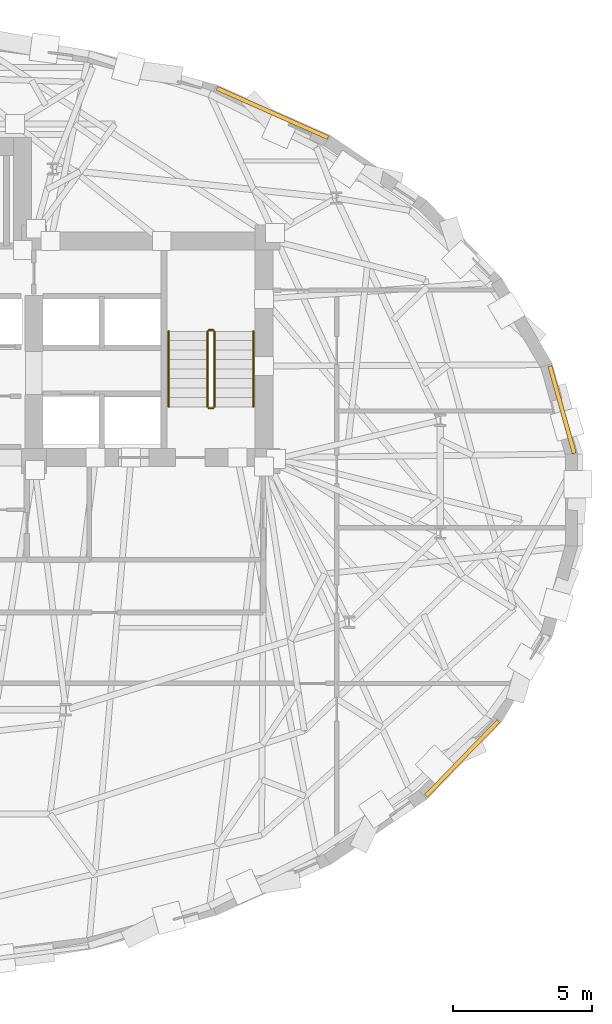
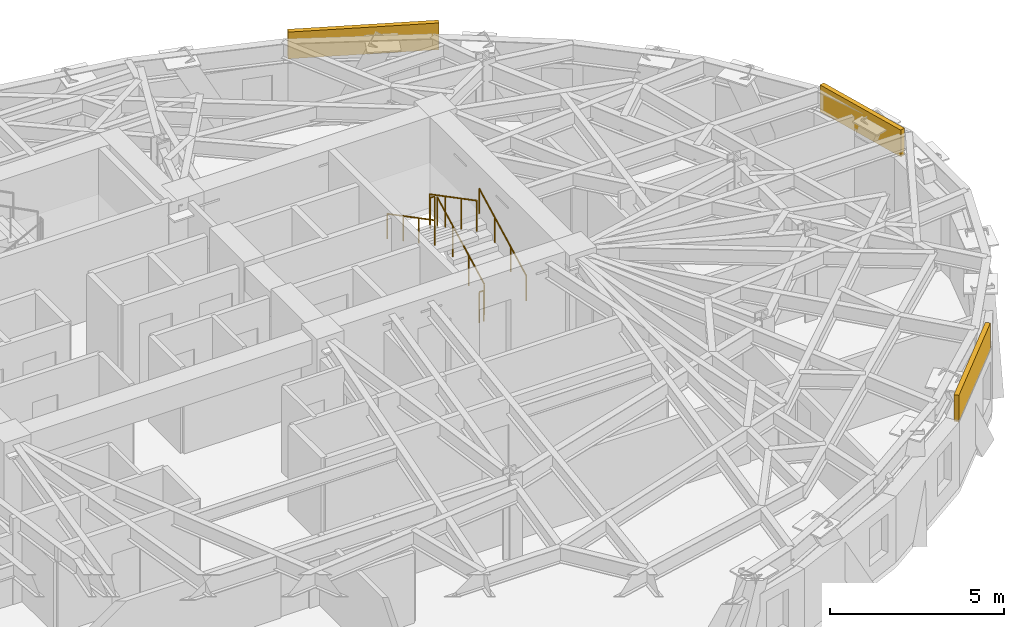
# One storey, part 13 of 14: 6 railings, 3 coverings.
"""IFC4 building model written with IfcOpenShell, lengths in metres."""

from ifc_helpers import new_model, si_unit, direction, frame, origin, origin_2d, place, context, subcontext, project, spatial, rectangle, circle, extrude, material, layer, layer_set, type_object, element, save


model = new_model("IFC4")

# Units and contexts
model_context = context("Model", 3, precision=1e-05, world=origin(), true_north=direction((0.0, 1.0)))
body_context = subcontext(model_context, "Body", "Model", "MODEL_VIEW")
ifc_project = project(units=[si_unit("LENGTHUNIT", "METRE"), si_unit("AREAUNIT", "SQUARE_METRE"), si_unit("VOLUMEUNIT", "CUBIC_METRE"), si_unit("PLANEANGLEUNIT", "RADIAN"), si_unit("MASSUNIT", "GRAM", prefix="KILO")], contexts=[model_context])

# Site, building, storey
site_placement = place(None, origin())
site = spatial("IfcSite", under=ifc_project, at=site_placement, CompositionType="ELEMENT")
building_placement = place(site_placement, origin())
building = spatial("IfcBuilding", under=site, at=building_placement, Name="Keldmark Tower", CompositionType="ELEMENT")
storey_placement = place(building_placement, frame((0.0, 0.0, 169.39990234375)))
storey = spatial("IfcBuildingStorey", under=building, at=storey_placement, Name="L46", CompositionType="ELEMENT", Elevation=169.39990234375)

# Coverings
ifc_material_1 = material(Name="Honed Kasota Buff Dolomitic Limestone", Category="masonry")
ifc_layer = layer(ifc_material_1, 0.074951171875)
ifc_layer_set = layer_set([ifc_layer], Name="Honed Kasota Buff Dolomitic Limestone")
covering_type = type_object("IfcCoveringType", Name="Kasota Buff Limestone Spandrel Cladding Band", PredefinedType="CLADDING", material=ifc_layer_set)
covering_1_placement = place(storey_placement, frame((24.205322265625, 3.25, 2.2392578125), z_axis=(0.0, 0.0, 1.0), x_axis=(-0.26920558486, 0.963082734286, 0.0)))
element("IfcCovering", 1, at=covering_1_placement, inside=storey, type_object=covering_type, Name="L46 Kasota Limestone Spandrel Band 01", PredefinedType="CLADDING", context=body_context, shape_type="SweptSolid", body=[
    extrude(rectangle(XDim=3.2568359375, YDim=0.14990234375, at=origin_2d()), origin(), (0.0, 0.0, 1.0), 0.94091796875),
])
covering_2_placement = place(storey_placement, frame((13.78466796875, 13.9267578125, 2.2392578125), z_axis=(0.0, 0.0, 1.0), x_axis=(-0.913921308103, 0.405891417247, 0.0)))
element("IfcCovering", 2, at=covering_2_placement, inside=storey, type_object=covering_type, Name="L46 Kasota Limestone Spandrel Band 05", PredefinedType="CLADDING", context=body_context, shape_type="SweptSolid", body=[
    extrude(rectangle(XDim=4.367431640625, YDim=0.14990234375, at=origin_2d()), origin(), (0.0, 0.0, 1.0), 0.94091796875),
])
covering_3_placement = place(storey_placement, frame((20.6142578125, -9.298095703125, 2.2392578125), z_axis=(0.0, 0.0, 1.0), x_axis=(0.694959625859, 0.719048759422, 0.0)))
element("IfcCovering", 3, at=covering_3_placement, inside=storey, type_object=covering_type, Name="L46 Kasota Limestone Spandrel Band 29", PredefinedType="CLADDING", context=body_context, shape_type="SweptSolid", body=[
    extrude(rectangle(XDim=3.74609375, YDim=0.14990234375, at=origin_2d()), origin(), (0.0, 0.0, 1.0), 0.94091796875),
])

# Railings
ifc_material_2 = material(Name="Painted Steel ASTM A500 Grade B", Category="steel")
railing_type_1 = type_object("IfcRailingType", Name="Painted Steel Stair Well Guard 1100 mm", PredefinedType="GUARDRAIL", material=ifc_material_2)
railing_1_placement = place(storey_placement, frame((11.699951171875, 3.35009765625, 0.177978515625)))
element("IfcRailing", 4, at=railing_1_placement, inside=storey, type_object=railing_type_1, Name="L46 ST2 stair guard 1", PredefinedType="GUARDRAIL", context=body_context, shape_type="SweptSolid", body=[
    extrude(circle(Radius=0.02392578125, at=origin_2d()), frame((0.0, 0.0, 1.076171875), z_axis=(0.0, 0.886183135912, 0.463335137482), x_axis=(-1.0, 0.0, 0.0)), (0.0, 0.0, 1.0), 3.0693359375),
    extrude(circle(Radius=0.02099609375, at=origin_2d()), origin(), (0.0, 0.0, 1.0), 1.052001953125),
    extrude(circle(Radius=0.02099609375, at=origin_2d()), frame((0.0, 0.90673828125, 0.47412109375)), (0.0, 0.0, 1.0), 1.052001953125),
    extrude(circle(Radius=0.02099609375, at=origin_2d()), frame((0.0, 1.813232421875, 0.947998046875)), (0.0, 0.0, 1.0), 1.052001953125),
    extrude(circle(Radius=0.02099609375, at=origin_2d()), frame((0.0, 2.719970703125, 1.422119140625)), (0.0, 0.0, 1.0), 1.052001953125),
])
railing_2_placement = place(storey_placement, frame((11.64990234375, 6.1201171875, 1.60009765625)))
element("IfcRailing", 5, at=railing_2_placement, inside=storey, type_object=railing_type_1, Name="L46 ST2 stair guard 2", PredefinedType="GUARDRAIL", context=body_context, shape_type="SweptSolid", body=[
    extrude(circle(Radius=0.02392578125, at=origin_2d()), frame((0.0, 0.0, 1.076171875), z_axis=(-1.0, 0.0, 0.0), x_axis=(0.0, -1.0, 0.0)), (0.0, 0.0, 1.0), 0.14990234375),
    extrude(circle(Radius=0.02099609375, at=origin_2d()), origin(), (0.0, 0.0, 1.0), 1.052001953125),
    extrude(circle(Radius=0.02099609375, at=origin_2d()), frame((-0.14990234375, 0.0, 0.0)), (0.0, 0.0, 1.0), 1.052001953125),
])
railing_3_placement = place(storey_placement, frame((11.449951171875, 6.070068359375, 1.77783203125)))
element("IfcRailing", 6, at=railing_3_placement, inside=storey, type_object=railing_type_1, Name="L46 ST2 stair guard 3", PredefinedType="GUARDRAIL", context=body_context, shape_type="SweptSolid", body=[
    extrude(circle(Radius=0.02392578125, at=origin_2d()), frame((0.0, 0.0, 1.076171875), z_axis=(0.0, -0.886150474775, 0.463397600399), x_axis=(1.0, 0.0, 0.0)), (0.0, 0.0, 1.0), 3.0693359375),
    extrude(circle(Radius=0.02099609375, at=origin_2d()), origin(), (0.0, 0.0, 1.0), 1.052001953125),
    extrude(circle(Radius=0.02099609375, at=origin_2d()), frame((0.0, -0.90673828125, 0.47412109375)), (0.0, 0.0, 1.0), 1.052001953125),
    extrude(circle(Radius=0.02099609375, at=origin_2d()), frame((0.0, -1.813232421875, 0.9482421875)), (0.0, 0.0, 1.0), 1.052001953125),
    extrude(circle(Radius=0.02099609375, at=origin_2d()), frame((0.0, -2.719970703125, 1.42236328125)), (0.0, 0.0, 1.0), 1.052001953125),
])
railing_4_placement = place(storey_placement, frame((11.64990234375, 3.300048828125, 0.0)))
element("IfcRailing", 7, at=railing_4_placement, inside=storey, type_object=railing_type_1, Name="L46 ST2 stair guard 4", PredefinedType="GUARDRAIL", context=body_context, shape_type="SweptSolid", body=[
    extrude(circle(Radius=0.02392578125, at=origin_2d()), frame((0.0, 0.0, 1.076171875), z_axis=(-1.0, 0.0, 0.0), x_axis=(0.0, -1.0, 0.0)), (0.0, 0.0, 1.0), 0.14990234375),
    extrude(circle(Radius=0.02099609375, at=origin_2d()), origin(), (0.0, 0.0, 1.0), 1.052001953125),
    extrude(circle(Radius=0.02099609375, at=origin_2d()), frame((-0.14990234375, 0.0, 0.0)), (0.0, 0.0, 1.0), 1.052001953125),
])
ifc_material_3 = material(Name="Stainless Steel AISI 316L", Category="steel")
railing_type_2 = type_object("IfcRailingType", Name="Stainless Steel Stair Handrail 900 mm", PredefinedType="HANDRAIL", material=ifc_material_3)
railing_5_placement = place(storey_placement, frame((13.10009765625, 3.35009765625, 0.177978515625)))
element("IfcRailing", 8, at=railing_5_placement, inside=storey, type_object=railing_type_2, Name="L46 ST2 stair handrail 1", PredefinedType="HANDRAIL", context=body_context, shape_type="SweptSolid", body=[
    extrude(circle(Radius=0.02392578125, at=origin_2d()), frame((0.0, 0.0, 0.8759765625), z_axis=(0.0, 0.886183135912, 0.463335137482), x_axis=(-1.0, 0.0, 0.0)), (0.0, 0.0, 1.0), 3.0693359375),
    extrude(circle(Radius=0.02099609375, at=origin_2d()), origin(), (0.0, 0.0, 1.0), 0.851806640625),
    extrude(circle(Radius=0.02099609375, at=origin_2d()), frame((0.0, 0.90673828125, 0.47412109375)), (0.0, 0.0, 1.0), 0.851806640625),
    extrude(circle(Radius=0.02099609375, at=origin_2d()), frame((0.0, 1.813232421875, 0.947998046875)), (0.0, 0.0, 1.0), 0.851806640625),
    extrude(circle(Radius=0.02099609375, at=origin_2d()), frame((0.0, 2.719970703125, 1.422119140625)), (0.0, 0.0, 1.0), 0.851806640625),
])
railing_6_placement = place(storey_placement, frame((10.050048828125, 6.070068359375, 1.77783203125)))
element("IfcRailing", 9, at=railing_6_placement, inside=storey, type_object=railing_type_2, Name="L46 ST2 stair handrail 2", PredefinedType="HANDRAIL", context=body_context, shape_type="SweptSolid", body=[
    extrude(circle(Radius=0.02392578125, at=origin_2d()), frame((0.0, 0.0, 0.8759765625), z_axis=(0.0, -0.886150474775, 0.463397600399), x_axis=(1.0, 0.0, 0.0)), (0.0, 0.0, 1.0), 3.0693359375),
    extrude(circle(Radius=0.02099609375, at=origin_2d()), origin(), (0.0, 0.0, 1.0), 0.851806640625),
    extrude(circle(Radius=0.02099609375, at=origin_2d()), frame((0.0, -0.90673828125, 0.47412109375)), (0.0, 0.0, 1.0), 0.851806640625),
    extrude(circle(Radius=0.02099609375, at=origin_2d()), frame((0.0, -1.813232421875, 0.9482421875)), (0.0, 0.0, 1.0), 0.851806640625),
    extrude(circle(Radius=0.02099609375, at=origin_2d()), frame((0.0, -2.719970703125, 1.42236328125)), (0.0, 0.0, 1.0), 0.851806640625),
])

save(model, "model.ifc")
